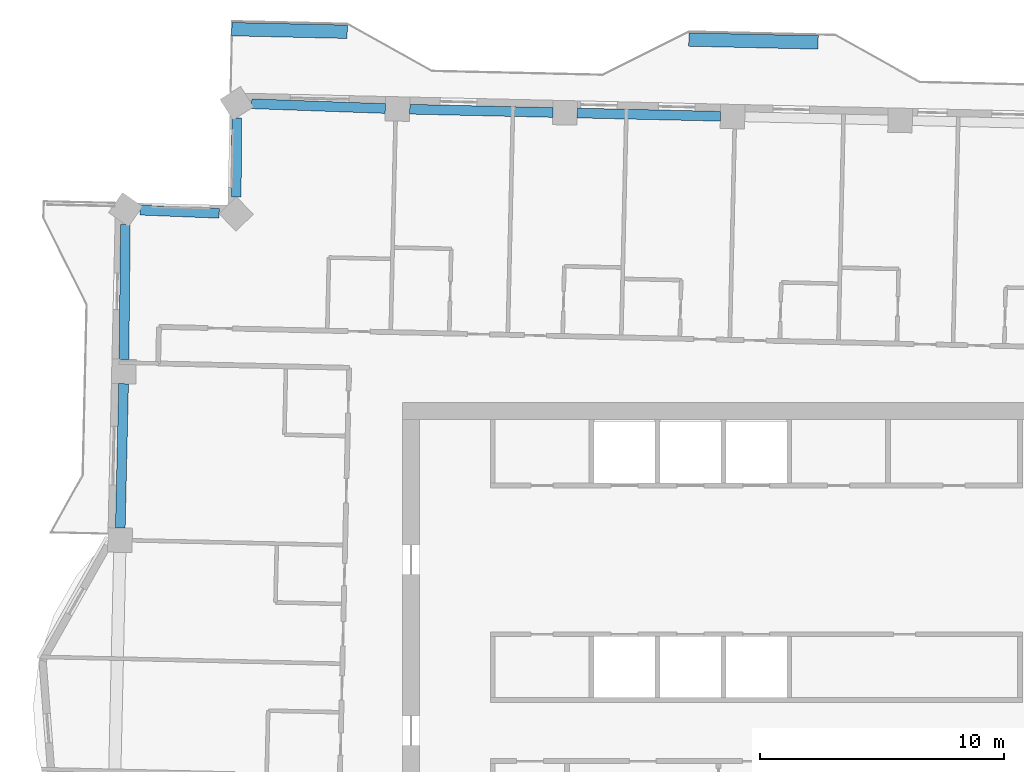
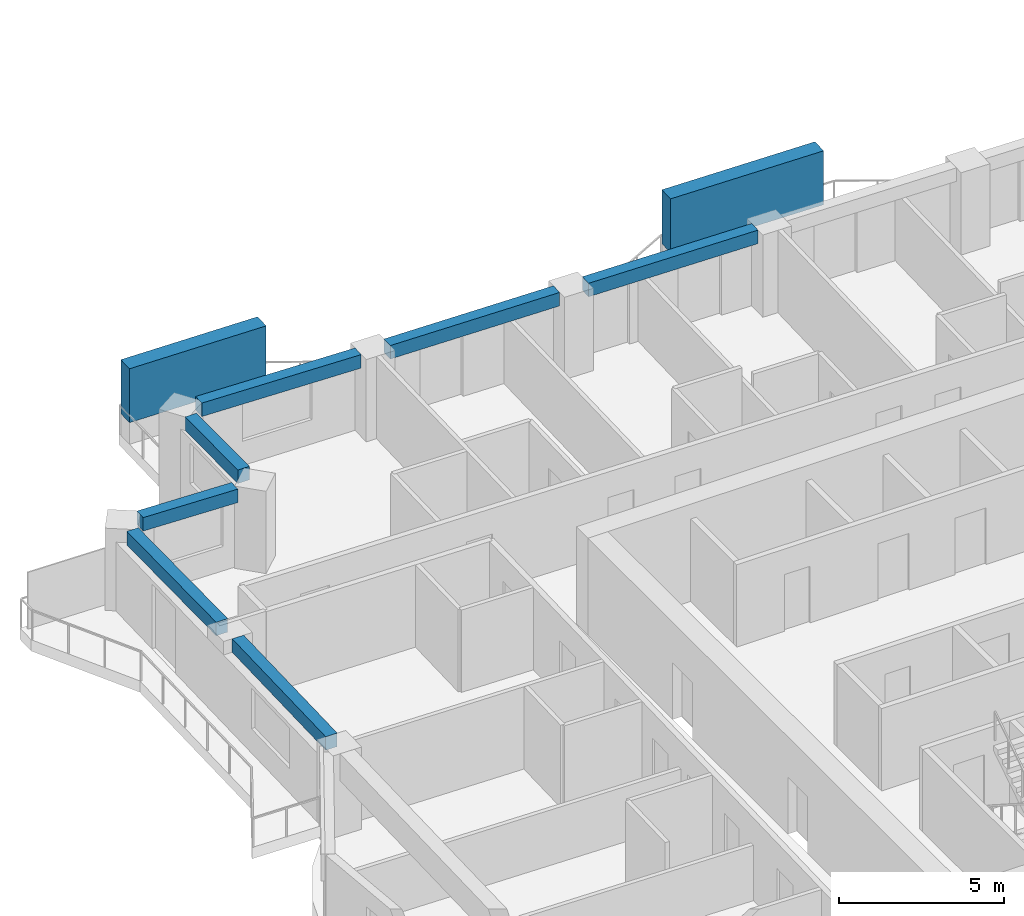
# One storey, part 3 of 17: 7 beams, 2 members.
"""IFC4 building model written with IfcOpenShell, lengths in metres."""

from ifc_helpers import new_model, si_unit, direction, frame, origin, origin_2d, place, context, subcontext, project, spatial, rectangle, extrude, material, material_profile, profile_set, type_object, element, save


model = new_model("IFC4")

# Units and contexts
model_context = context("Model", 3, precision=1e-05, world=origin(), true_north=direction((0.0, 1.0)))
body_context = subcontext(model_context, "Body", "Model", "MODEL_VIEW")
ifc_project = project(units=[si_unit("LENGTHUNIT", "METRE"), si_unit("AREAUNIT", "SQUARE_METRE"), si_unit("VOLUMEUNIT", "CUBIC_METRE"), si_unit("PLANEANGLEUNIT", "RADIAN"), si_unit("MASSUNIT", "GRAM", prefix="KILO")], contexts=[model_context])

# Site, building, storey
site_placement = place(None, origin())
site = spatial("IfcSite", under=ifc_project, at=site_placement, CompositionType="ELEMENT")
building_placement = place(site_placement, origin())
building = spatial("IfcBuilding", under=site, at=building_placement, Name="Mangrove Gate Tower", CompositionType="ELEMENT")
storey_placement = place(building_placement, frame((0.0, 0.0, 260.89990234375)))
storey = spatial("IfcBuildingStorey", under=building, at=storey_placement, Name="L66", CompositionType="ELEMENT", Elevation=260.89990234375)

# Members
ifc_material_1 = material(Name="Planting on aluminium trellis", Category="aluminium")
ifc_material_profile_1 = material_profile(ifc_material_1, rectangle(XDim=0.550048828125, YDim=2.0, at=origin_2d()))
ifc_profile_set_1 = profile_set([ifc_material_profile_1], Name="Planting on aluminium trellis")
member_type = type_object("IfcMemberType", Name="Balcony greenery screen 550x2000", PredefinedType="USERDEFINED", material=ifc_profile_set_1)
member_1_placement = place(storey_placement, frame((-21.49609375, 26.7958984375, 1.800048828125), z_axis=(0.999744993256, -0.022582038422, 0.0), x_axis=(0.022582038422, 0.999744993256, 0.0)))
element("IfcMember", 1, at=member_1_placement, inside=storey, type_object=member_type, Name="GREEN SCREEN L66 N1.1", ObjectType="PLANTING", PredefinedType="USERDEFINED", context=body_context, shape_type="SweptSolid", body=[
    extrude(rectangle(XDim=0.550048828125, YDim=2.0, at=origin_2d()), origin(), (0.0, 0.0, 1.0), 4.7353515625),
])
member_2_placement = place(storey_placement, frame((-2.764892578125, 26.37109375, 1.800048828125), z_axis=(0.99974316553, -0.022662810424, 0.0), x_axis=(0.022662810424, 0.99974316553, 0.0)))
element("IfcMember", 2, at=member_2_placement, inside=storey, type_object=member_type, Name="GREEN SCREEN L66 N1.2", ObjectType="PLANTING", PredefinedType="USERDEFINED", context=body_context, shape_type="SweptSolid", body=[
    extrude(rectangle(XDim=0.550048828125, YDim=2.0, at=origin_2d()), origin(), (0.0, 0.0, 1.0), 5.30029296875),
])

# Beams
ifc_material_2 = material(Name="Concrete C50/60", Category="concrete")
ifc_material_profile_2 = material_profile(ifc_material_2, rectangle(XDim=0.39990234375, YDim=0.5, at=origin_2d()))
ifc_profile_set_2 = profile_set([ifc_material_profile_2], Name="Concrete C50/60")
beam_type = type_object("IfcBeamType", Name="Edge beam RC 400x500 C50/60", PredefinedType="BEAM", material=ifc_profile_set_2)
beam_1_placement = place(storey_placement, frame((-1.47021484375, 23.226318359375, 2.800048828125), z_axis=(-0.999744748613, 0.022592866593, 0.0), x_axis=(-0.022592866593, -0.999744748613, 0.0)))
element("IfcBeam", 3, at=beam_1_placement, inside=storey, type_object=beam_type, Name="Edge beam L66 24", PredefinedType="BEAM", context=body_context, shape_type="SweptSolid", body=[
    extrude(rectangle(XDim=0.39990234375, YDim=0.5, at=origin_2d()), origin(), (0.0, 0.0, 1.0), 5.86767578125),
])
beam_2_placement = place(storey_placement, frame((-8.336181640625, 23.381591796875, 2.800048828125), z_axis=(-0.999742779972, 0.022679812483, 0.0), x_axis=(-0.022679812483, -0.999742779972, 0.0)))
element("IfcBeam", 4, at=beam_2_placement, inside=storey, type_object=beam_type, Name="Edge beam L66 25", PredefinedType="BEAM", context=body_context, shape_type="SweptSolid", body=[
    extrude(rectangle(XDim=0.39990234375, YDim=0.5, at=origin_2d()), origin(), (0.0, 0.0, 1.0), 5.86669921875),
])
beam_3_placement = place(storey_placement, frame((-15.201171875, 23.5439453125, 2.800048828125), z_axis=(-0.999368457759, 0.035534288165, 0.0), x_axis=(-0.035534288165, -0.999368457759, 0.0)))
element("IfcBeam", 5, at=beam_3_placement, inside=storey, type_object=beam_type, Name="Edge beam L66 26", PredefinedType="BEAM", context=body_context, shape_type="SweptSolid", body=[
    extrude(rectangle(XDim=0.39990234375, YDim=0.5, at=origin_2d()), origin(), (0.0, 0.0, 1.0), 5.482666015625),
])
beam_4_placement = place(storey_placement, frame((-21.290771484375, 23.1650390625, 2.800048828125), z_axis=(-0.006013120391, -0.999981921028, 0.0), x_axis=(0.999981921028, -0.006013120391, 0.0)))
element("IfcBeam", 6, at=beam_4_placement, inside=storey, type_object=beam_type, Name="Edge beam L66 27", PredefinedType="BEAM", context=body_context, shape_type="SweptSolid", body=[
    extrude(rectangle(XDim=0.39990234375, YDim=0.5, at=origin_2d()), origin(), (0.0, 0.0, 1.0), 3.248046875),
])
beam_5_placement = place(storey_placement, frame((-22.009521484375, 19.2490234375, 2.800048828125), z_axis=(-0.999212441991, 0.039679916469, 0.0), x_axis=(-0.039679916469, -0.999212441991, 0.0)))
element("IfcBeam", 7, at=beam_5_placement, inside=storey, type_object=beam_type, Name="Edge beam L66 28", PredefinedType="BEAM", context=body_context, shape_type="SweptSolid", body=[
    extrude(rectangle(XDim=0.39990234375, YDim=0.5, at=origin_2d()), origin(), (0.0, 0.0, 1.0), 3.24853515625),
])
beam_6_placement = place(storey_placement, frame((-25.855224609375, 18.7958984375, 2.800048828125), z_axis=(-0.010108966043, -0.999948903097, 0.0), x_axis=(0.999948903097, -0.010108966043, 0.0)))
element("IfcBeam", 8, at=beam_6_placement, inside=storey, type_object=beam_type, Name="Edge beam L66 29", PredefinedType="BEAM", context=body_context, shape_type="SweptSolid", body=[
    extrude(rectangle(XDim=0.39990234375, YDim=0.5, at=origin_2d()), origin(), (0.0, 0.0, 1.0), 5.530517578125),
])
beam_7_placement = place(storey_placement, frame((-25.927490234375, 12.265869140625, 2.800048828125), z_axis=(-0.022709212486, -0.999742112581, 0.0), x_axis=(0.999742112581, -0.022709212486, 0.0)))
element("IfcBeam", 9, at=beam_7_placement, inside=storey, type_object=beam_type, Name="Edge beam L66 30", PredefinedType="BEAM", context=body_context, shape_type="SweptSolid", body=[
    extrude(rectangle(XDim=0.39990234375, YDim=0.5, at=origin_2d()), origin(), (0.0, 0.0, 1.0), 5.912841796875),
])

save(model, "model.ifc")
